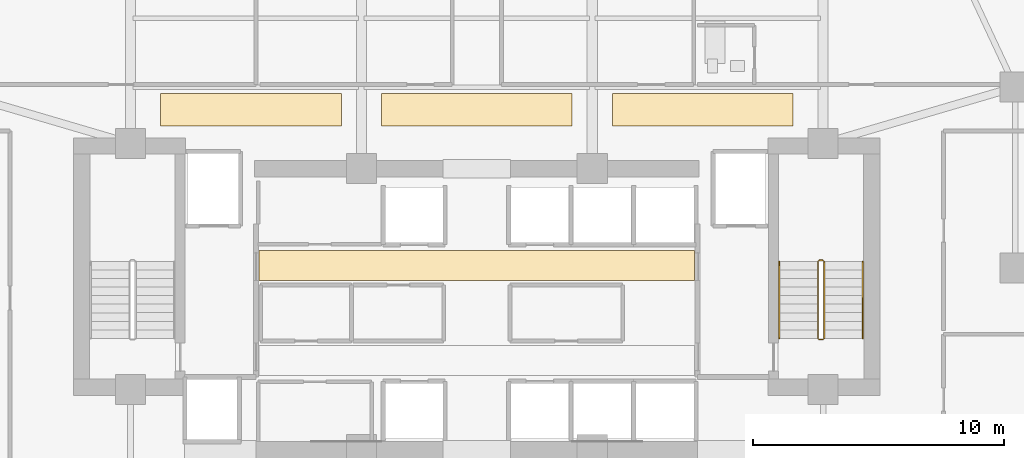
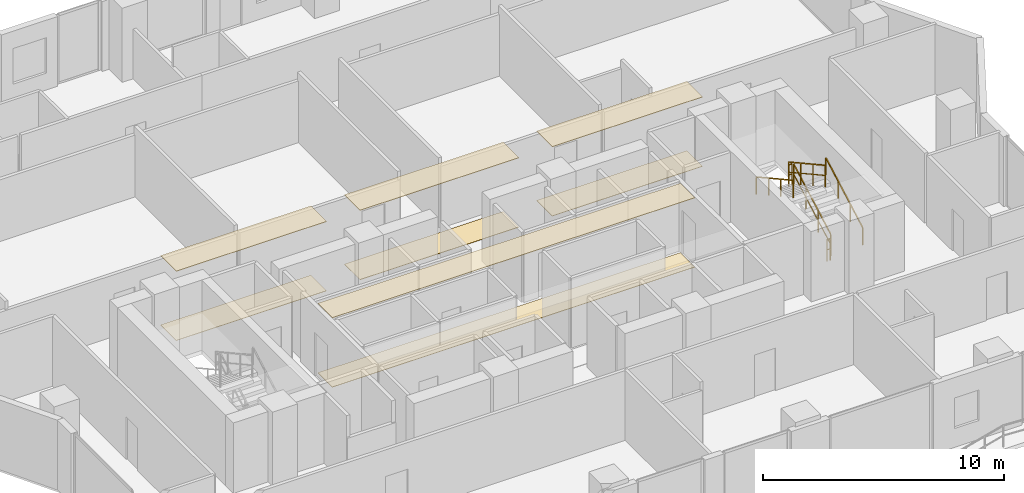
# One storey, part 30 of 32: 8 coverings, 6 railings.
"""IFC4 building model written with IfcOpenShell, lengths in metres."""

from ifc_helpers import new_model, si_unit, direction, frame, origin, origin_2d, place, context, subcontext, project, spatial, polyline, rectangle, outline, extrude, material, layer, layer_set, type_object, element, save


model = new_model("IFC4")

# Units and contexts
model_context = context("Model", 3, precision=1e-05, world=origin(), true_north=direction((0.0, 1.0)))
body_context = subcontext(model_context, "Body", "Model", "MODEL_VIEW")
ifc_project = project(units=[si_unit("LENGTHUNIT", "METRE"), si_unit("AREAUNIT", "SQUARE_METRE"), si_unit("VOLUMEUNIT", "CUBIC_METRE"), si_unit("PLANEANGLEUNIT", "RADIAN"), si_unit("MASSUNIT", "GRAM", prefix="KILO")], contexts=[model_context])

# Site, building, storey
site_placement = place(None, origin())
site = spatial("IfcSite", under=ifc_project, at=site_placement, CompositionType="ELEMENT")
building_placement = place(site_placement, origin())
building = spatial("IfcBuilding", under=site, at=building_placement, Name="Zuhayl Quay Hotel", CompositionType="ELEMENT")
storey_placement = place(building_placement, frame((0.0, 0.0, 218.64990234375)))
storey = spatial("IfcBuildingStorey", under=building, at=storey_placement, Name="L55", CompositionType="ELEMENT", Elevation=218.64990234375)

# Coverings
ifc_material_1 = material(Name="Acoustic Mineral-Fibre Gypsum Board")
ifc_layer_1 = layer(ifc_material_1, 0.02490234375, Name="Acoustic Mineral-Fibre Gypsum Board")
ifc_layer_set_1 = layer_set([ifc_layer_1], Name="Acoustic Mineral-Fibre Gypsum Board")
covering_type_1 = type_object("IfcCoveringType", Name="CV_CEIL_ACOUSTIC", PredefinedType="CEILING", material=ifc_layer_set_1)
covering_1_placement = place(storey_placement, frame((0.0, 0.0, 3.505126953125)))
element("IfcCovering", 1, at=covering_1_placement, inside=storey, type_object=covering_type_1, Name="L55 Suspended Acoustic Lobby Ceiling N", PredefinedType="CEILING", context=body_context, shape_type="SweptSolid", body=[
    extrude(outline(polyline([(-8.679931640625, 8.89990234375), (8.679931640625, 8.89990234375), (8.679931640625, 10.10009765625), (-8.679931640625, 10.10009765625), (-8.679931640625, 8.89990234375)])), origin(), (0.0, 0.0, 1.0), 0.02490234375),
])
covering_2_placement = place(storey_placement, frame((0.0, 0.0, 3.505126953125)))
element("IfcCovering", 2, at=covering_2_placement, inside=storey, type_object=covering_type_1, Name="L55 Guest Corridor Acoustic Ceiling CW", PredefinedType="CEILING", context=body_context, shape_type="SweptSolid", body=[
    extrude(outline(polyline([(-12.60009765625, 15.050048828125), (-5.39990234375, 15.050048828125), (-5.39990234375, 16.35009765625), (-12.60009765625, 16.35009765625), (-12.60009765625, 15.050048828125)])), origin(), (0.0, 0.0, 1.0), 0.02490234375),
])
covering_3_placement = place(storey_placement, frame((0.0, 0.0, 3.505126953125)))
element("IfcCovering", 3, at=covering_3_placement, inside=storey, type_object=covering_type_1, Name="L55 Guest Corridor Acoustic Ceiling CC", PredefinedType="CEILING", context=body_context, shape_type="SweptSolid", body=[
    extrude(outline(polyline([(-3.800048828125, 15.050048828125), (3.800048828125, 15.050048828125), (3.800048828125, 16.35009765625), (-3.800048828125, 16.35009765625), (-3.800048828125, 15.050048828125)])), origin(), (0.0, 0.0, 1.0), 0.02490234375),
])
covering_4_placement = place(storey_placement, frame((0.0, 0.0, 3.505126953125)))
element("IfcCovering", 4, at=covering_4_placement, inside=storey, type_object=covering_type_1, Name="L55 Guest Corridor Acoustic Ceiling CE", PredefinedType="CEILING", context=body_context, shape_type="SweptSolid", body=[
    extrude(outline(polyline([(5.39990234375, 15.050048828125), (12.60009765625, 15.050048828125), (12.60009765625, 16.35009765625), (5.39990234375, 16.35009765625), (5.39990234375, 15.050048828125)])), origin(), (0.0, 0.0, 1.0), 0.02490234375),
])
ifc_material_2 = material(Name="Polished Limestone Terrazzo", Category="masonry")
ifc_layer_2 = layer(ifc_material_2, 0.02001953125, Name="Polished Limestone Terrazzo", Category="masonry")
ifc_layer_set_2 = layer_set([ifc_layer_2], Name="Polished Limestone Terrazzo")
covering_type_2 = type_object("IfcCoveringType", Name="CV_FLOOR_TERRAZZO", PredefinedType="FLOORING", material=ifc_layer_set_2)
covering_5_placement = place(storey_placement, origin())
element("IfcCovering", 5, at=covering_5_placement, inside=storey, type_object=covering_type_2, Name="L55 Honed Limestone Terrazzo Lobby Flooring N", PredefinedType="FLOORING", context=body_context, shape_type="SweptSolid", body=[
    extrude(outline(polyline([(-8.679931640625, 8.89990234375), (8.679931640625, 8.89990234375), (8.679931640625, 10.10009765625), (-8.679931640625, 10.10009765625), (-8.679931640625, 8.89990234375)])), origin(), (0.0, 0.0, 1.0), 0.02001953125),
])
covering_6_placement = place(storey_placement, origin())
element("IfcCovering", 6, at=covering_6_placement, inside=storey, type_object=covering_type_2, Name="L55 Guest Corridor Terrazzo Runner CW", PredefinedType="FLOORING", context=body_context, shape_type="SweptSolid", body=[
    extrude(outline(polyline([(-12.60009765625, 15.050048828125), (-5.39990234375, 15.050048828125), (-5.39990234375, 16.35009765625), (-12.60009765625, 16.35009765625), (-12.60009765625, 15.050048828125)])), origin(), (0.0, 0.0, 1.0), 0.02001953125),
])
covering_7_placement = place(storey_placement, origin())
element("IfcCovering", 7, at=covering_7_placement, inside=storey, type_object=covering_type_2, Name="L55 Guest Corridor Terrazzo Runner CC", PredefinedType="FLOORING", context=body_context, shape_type="SweptSolid", body=[
    extrude(outline(polyline([(-3.800048828125, 15.050048828125), (3.800048828125, 15.050048828125), (3.800048828125, 16.35009765625), (-3.800048828125, 16.35009765625), (-3.800048828125, 15.050048828125)])), origin(), (0.0, 0.0, 1.0), 0.02001953125),
])
covering_8_placement = place(storey_placement, origin())
element("IfcCovering", 8, at=covering_8_placement, inside=storey, type_object=covering_type_2, Name="L55 Guest Corridor Terrazzo Runner CE", PredefinedType="FLOORING", context=body_context, shape_type="SweptSolid", body=[
    extrude(outline(polyline([(5.39990234375, 15.050048828125), (12.60009765625, 15.050048828125), (12.60009765625, 16.35009765625), (5.39990234375, 16.35009765625), (5.39990234375, 15.050048828125)])), origin(), (0.0, 0.0, 1.0), 0.02001953125),
])

# Railings
ifc_material_3 = material(Name="Steel ASTM A992 Grade 50", Category="steel")
railing_type_1 = type_object("IfcRailingType", Name="RL_GUARD_1100", PredefinedType="GUARDRAIL", material=ifc_material_3)
railing_1_placement = place(storey_placement, frame((13.840087890625, 6.590087890625, 0.1875)))
element("IfcRailing", 9, at=railing_1_placement, inside=storey, type_object=railing_type_1, Name="L55 ST2 stair guard 1", PredefinedType="GUARDRAIL", context=body_context, shape_type="SweptSolid", body=[
    extrude(rectangle(XDim=0.048095703125, YDim=0.048095703125, at=origin_2d()), frame((0.0, 0.0, 1.09619140625), z_axis=(0.0, 0.875659195171, 0.482929574485), x_axis=(-1.0, 0.0, 0.0)), (0.0, 0.0, 1.0), 3.494384765625),
    extrude(rectangle(XDim=0.0361328125, YDim=0.0361328125, at=origin_2d()), frame((0.0, 0.0, 0.58251953125), z_axis=(0.0, 0.875659195171, 0.482929574485), x_axis=(-1.0, 0.0, 0.0)), (0.0, 0.0, 1.0), 3.494384765625),
    extrude(rectangle(XDim=0.0419921875, YDim=0.0419921875, at=origin_2d()), origin(), (0.0, 0.0, 1.0), 1.072021484375),
    extrude(rectangle(XDim=0.0419921875, YDim=0.0419921875, at=origin_2d()), frame((0.0, 1.02001953125, 0.5625)), (0.0, 0.0, 1.0), 1.072021484375),
    extrude(rectangle(XDim=0.0419921875, YDim=0.0419921875, at=origin_2d()), frame((0.0, 2.039794921875, 1.125)), (0.0, 0.0, 1.0), 1.072021484375),
    extrude(rectangle(XDim=0.0419921875, YDim=0.0419921875, at=origin_2d()), frame((0.0, 3.059814453125, 1.6875)), (0.0, 0.0, 1.0), 1.072021484375),
])
railing_2_placement = place(storey_placement, frame((13.7900390625, 9.699951171875, 1.875)))
element("IfcRailing", 10, at=railing_2_placement, inside=storey, type_object=railing_type_1, Name="L55 ST2 stair guard 2", PredefinedType="GUARDRAIL", context=body_context, shape_type="SweptSolid", body=[
    extrude(rectangle(XDim=0.048095703125, YDim=0.048095703125, at=origin_2d()), frame((0.0, 0.0, 1.09619140625), z_axis=(-1.0, 0.0, 0.0), x_axis=(0.0, -1.0, 0.0)), (0.0, 0.0, 1.0), 0.150146484375),
    extrude(rectangle(XDim=0.0361328125, YDim=0.0361328125, at=origin_2d()), frame((0.0, 0.0, 0.58251953125), z_axis=(-1.0, 0.0, 0.0), x_axis=(0.0, -1.0, 0.0)), (0.0, 0.0, 1.0), 0.150146484375),
    extrude(rectangle(XDim=0.0419921875, YDim=0.0419921875, at=origin_2d()), origin(), (0.0, 0.0, 1.0), 1.072021484375),
    extrude(rectangle(XDim=0.0419921875, YDim=0.0419921875, at=origin_2d()), frame((-0.150146484375, 0.0, 0.0)), (0.0, 0.0, 1.0), 1.072021484375),
])
railing_3_placement = place(storey_placement, frame((13.590087890625, 9.64990234375, 2.0625)))
element("IfcRailing", 11, at=railing_3_placement, inside=storey, type_object=railing_type_1, Name="L55 ST2 stair guard 3", PredefinedType="GUARDRAIL", context=body_context, shape_type="SweptSolid", body=[
    extrude(rectangle(XDim=0.048095703125, YDim=0.048095703125, at=origin_2d()), frame((0.0, 0.0, 1.09619140625), z_axis=(0.0, -0.875659195171, 0.482929574485), x_axis=(1.0, 0.0, 0.0)), (0.0, 0.0, 1.0), 3.494384765625),
    extrude(rectangle(XDim=0.0361328125, YDim=0.0361328125, at=origin_2d()), frame((0.0, 0.0, 0.58251953125), z_axis=(0.0, -0.875659195171, 0.482929574485), x_axis=(1.0, 0.0, 0.0)), (0.0, 0.0, 1.0), 3.494384765625),
    extrude(rectangle(XDim=0.0419921875, YDim=0.0419921875, at=origin_2d()), origin(), (0.0, 0.0, 1.0), 1.072021484375),
    extrude(rectangle(XDim=0.0419921875, YDim=0.0419921875, at=origin_2d()), frame((0.0, -1.02001953125, 0.5625)), (0.0, 0.0, 1.0), 1.072021484375),
    extrude(rectangle(XDim=0.0419921875, YDim=0.0419921875, at=origin_2d()), frame((0.0, -2.039794921875, 1.125)), (0.0, 0.0, 1.0), 1.072021484375),
    extrude(rectangle(XDim=0.0419921875, YDim=0.0419921875, at=origin_2d()), frame((0.0, -3.059814453125, 1.6875)), (0.0, 0.0, 1.0), 1.072021484375),
])
railing_4_placement = place(storey_placement, frame((13.7900390625, 6.5400390625, 0.0)))
element("IfcRailing", 12, at=railing_4_placement, inside=storey, type_object=railing_type_1, Name="L55 ST2 stair guard 4", PredefinedType="GUARDRAIL", context=body_context, shape_type="SweptSolid", body=[
    extrude(rectangle(XDim=0.048095703125, YDim=0.048095703125, at=origin_2d()), frame((0.0, 0.0, 1.09619140625), z_axis=(-1.0, 0.0, 0.0), x_axis=(0.0, -1.0, 0.0)), (0.0, 0.0, 1.0), 0.150146484375),
    extrude(rectangle(XDim=0.0361328125, YDim=0.0361328125, at=origin_2d()), frame((0.0, 0.0, 0.58251953125), z_axis=(-1.0, 0.0, 0.0), x_axis=(0.0, -1.0, 0.0)), (0.0, 0.0, 1.0), 0.150146484375),
    extrude(rectangle(XDim=0.0419921875, YDim=0.0419921875, at=origin_2d()), origin(), (0.0, 0.0, 1.0), 1.072021484375),
    extrude(rectangle(XDim=0.0419921875, YDim=0.0419921875, at=origin_2d()), frame((-0.150146484375, 0.0, 0.0)), (0.0, 0.0, 1.0), 1.072021484375),
])
railing_type_2 = type_object("IfcRailingType", Name="RL_HANDRAIL_920", PredefinedType="HANDRAIL", material=ifc_material_3)
railing_5_placement = place(storey_placement, frame((15.3798828125, 6.590087890625, 0.1875)))
element("IfcRailing", 13, at=railing_5_placement, inside=storey, type_object=railing_type_2, Name="L55 ST2 stair handrail 1", PredefinedType="HANDRAIL", context=body_context, shape_type="SweptSolid", body=[
    extrude(rectangle(XDim=0.048095703125, YDim=0.048095703125, at=origin_2d()), frame((0.0, 0.0, 0.8759765625), z_axis=(0.0, 0.875659195171, 0.482929574485), x_axis=(-1.0, 0.0, 0.0)), (0.0, 0.0, 1.0), 3.494384765625),
    extrude(rectangle(XDim=0.0419921875, YDim=0.0419921875, at=origin_2d()), origin(), (0.0, 0.0, 1.0), 0.851806640625),
    extrude(rectangle(XDim=0.0419921875, YDim=0.0419921875, at=origin_2d()), frame((0.0, 1.02001953125, 0.5625)), (0.0, 0.0, 1.0), 0.851806640625),
    extrude(rectangle(XDim=0.0419921875, YDim=0.0419921875, at=origin_2d()), frame((0.0, 2.039794921875, 1.125)), (0.0, 0.0, 1.0), 0.851806640625),
    extrude(rectangle(XDim=0.0419921875, YDim=0.0419921875, at=origin_2d()), frame((0.0, 3.059814453125, 1.6875)), (0.0, 0.0, 1.0), 0.851806640625),
])
railing_6_placement = place(storey_placement, frame((12.050048828125, 9.64990234375, 2.0625)))
element("IfcRailing", 14, at=railing_6_placement, inside=storey, type_object=railing_type_2, Name="L55 ST2 stair handrail 2", PredefinedType="HANDRAIL", context=body_context, shape_type="SweptSolid", body=[
    extrude(rectangle(XDim=0.048095703125, YDim=0.048095703125, at=origin_2d()), frame((0.0, 0.0, 0.8759765625), z_axis=(0.0, -0.875659195171, 0.482929574485), x_axis=(1.0, 0.0, 0.0)), (0.0, 0.0, 1.0), 3.494384765625),
    extrude(rectangle(XDim=0.0419921875, YDim=0.0419921875, at=origin_2d()), origin(), (0.0, 0.0, 1.0), 0.851806640625),
    extrude(rectangle(XDim=0.0419921875, YDim=0.0419921875, at=origin_2d()), frame((0.0, -1.02001953125, 0.5625)), (0.0, 0.0, 1.0), 0.851806640625),
    extrude(rectangle(XDim=0.0419921875, YDim=0.0419921875, at=origin_2d()), frame((0.0, -2.039794921875, 1.125)), (0.0, 0.0, 1.0), 0.851806640625),
    extrude(rectangle(XDim=0.0419921875, YDim=0.0419921875, at=origin_2d()), frame((0.0, -3.059814453125, 1.6875)), (0.0, 0.0, 1.0), 0.851806640625),
])

save(model, "model.ifc")
